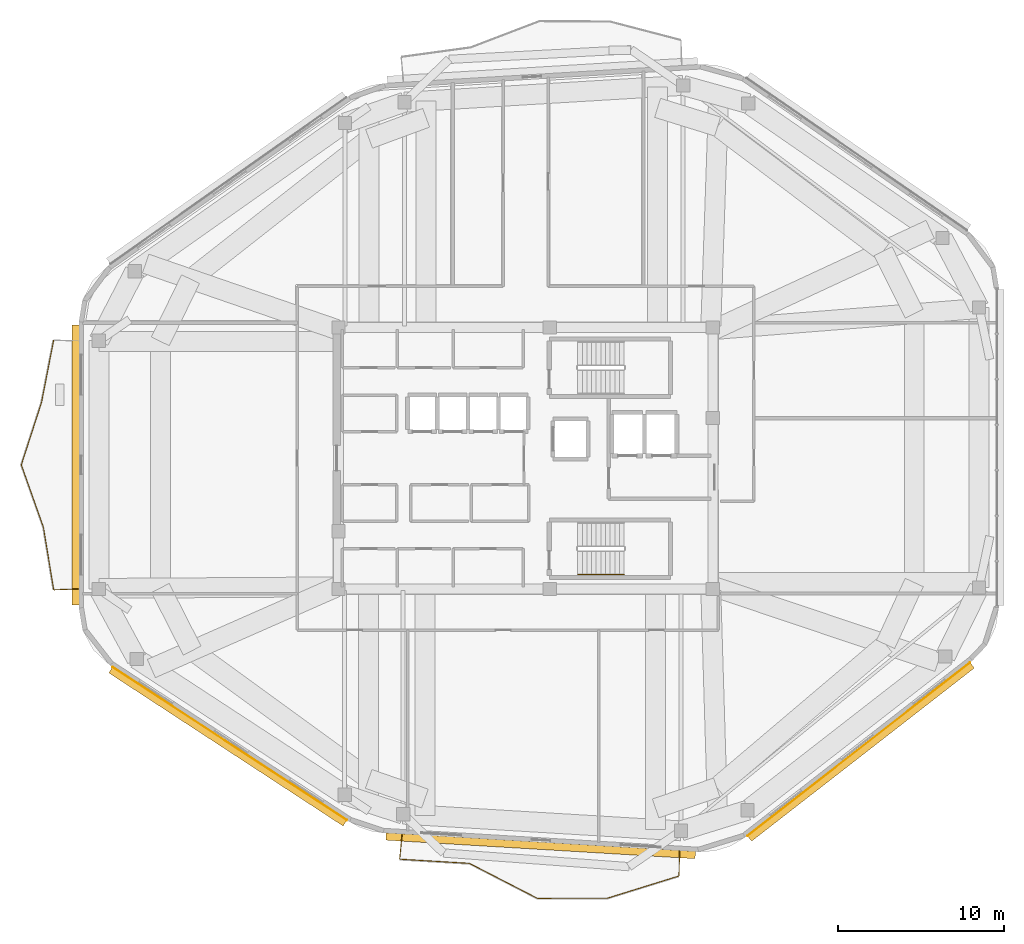
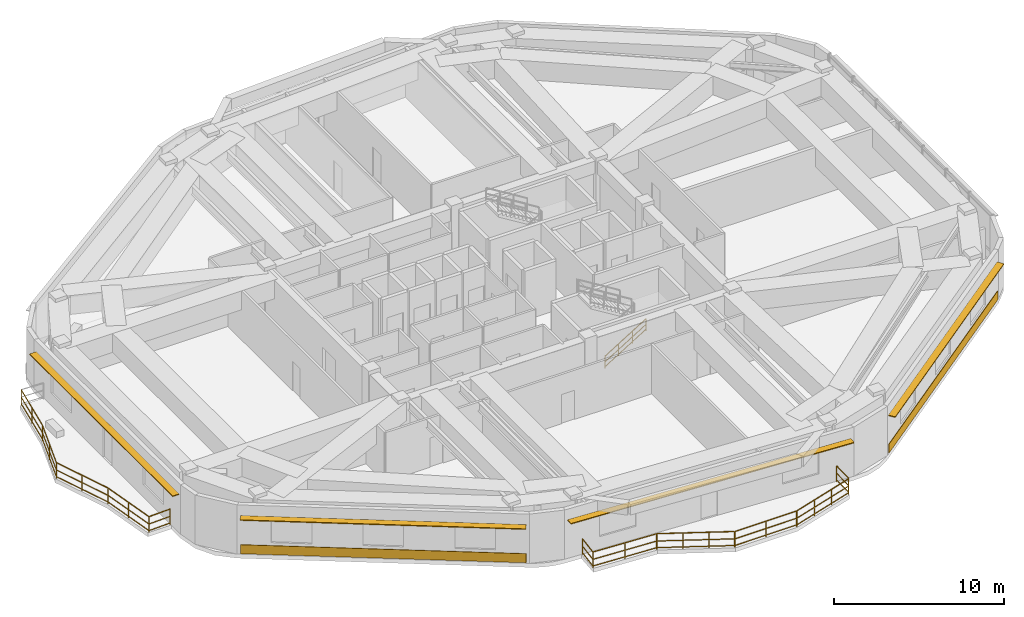
# One storey, part 13 of 15: 12 railings, 4 shading devices, 2 coverings.
"""IFC4 building model written with IfcOpenShell, lengths in metres."""

from ifc_helpers import new_model, si_unit, direction, frame, origin, origin_2d, place, context, subcontext, project, spatial, rectangle, extrude, material, layer, layer_set, type_object, element, save


model = new_model("IFC4")

# Units and contexts
model_context = context("Model", 3, precision=1e-05, world=origin(), true_north=direction((0.0, 1.0)))
body_context = subcontext(model_context, "Body", "Model", "MODEL_VIEW")
ifc_project = project(units=[si_unit("LENGTHUNIT", "METRE"), si_unit("AREAUNIT", "SQUARE_METRE"), si_unit("VOLUMEUNIT", "CUBIC_METRE"), si_unit("PLANEANGLEUNIT", "RADIAN"), si_unit("MASSUNIT", "GRAM", prefix="KILO")], contexts=[model_context])

# Site, building, storey
site_placement = place(None, origin())
site = spatial("IfcSite", under=ifc_project, at=site_placement, CompositionType="ELEMENT")
building_placement = place(site_placement, origin())
building = spatial("IfcBuilding", under=site, at=building_placement, Name="Zulverin Broadcast Headquarters", CompositionType="ELEMENT")
storey_placement = place(building_placement, frame((0.0, 0.0, 270.60009765625)))
storey = spatial("IfcBuildingStorey", under=building, at=storey_placement, Name="L69", CompositionType="ELEMENT", Elevation=270.60009765625)

# Coverings
ifc_material_1 = material(Name="Brushed pale-aluminium rainscreen cladding", Category="aluminium")
ifc_layer_1 = layer(ifc_material_1, 0.0400390625, Name="Brushed pale-aluminium rainscreen cladding", Category="aluminium")
ifc_layer_set_1 = layer_set([ifc_layer_1], Name="Brushed pale-aluminium rainscreen cladding")
covering_type = type_object("IfcCoveringType", Name="COV-CLAD-PALE", PredefinedType="CLADDING", material=ifc_layer_set_1)
covering_1_placement = place(storey_placement, frame((57.059326171875, 7.6767578125, 0.054931640625), z_axis=(0.0, 0.0, 1.0), x_axis=(0.789459183061, 0.613803061479, 0.0)))
element("IfcCovering", 1, at=covering_1_placement, inside=storey, type_object=covering_type, Name="L69 Brushed Pale-Aluminium Spandrel Cladding 2", PredefinedType="CLADDING", context=body_context, shape_type="SweptSolid", body=[
    extrude(rectangle(XDim=16.987548828125, YDim=0.0400390625, at=origin_2d()), origin(), (0.0, 0.0, 1.0), 0.64990234375),
])
covering_2_placement = place(storey_placement, frame((19.17578125, 8.00732421875, 0.054931640625), z_axis=(0.0, 0.0, 1.0), x_axis=(0.837115830387, -0.54702567263, 0.0)))
element("IfcCovering", 2, at=covering_2_placement, inside=storey, type_object=covering_type, Name="L69 Brushed Pale-Aluminium Spandrel Cladding 8", PredefinedType="CLADDING", context=body_context, shape_type="SweptSolid", body=[
    extrude(rectangle(XDim=16.859130859375, YDim=0.0400390625, at=origin_2d()), origin(), (0.0, 0.0, 1.0), 0.64990234375),
])

# Railings
ifc_material_2 = material(Name="Brushed stainless steel & laminated glass balustrade", Category="steel")
railing_type_1 = type_object("IfcRailingType", Name="RL-GUARD-1150", PredefinedType="GUARDRAIL", material=ifc_material_2)
railing_1_placement = place(storey_placement, frame((8.5771484375, 32.310546875, 0.0)))
element("IfcRailing", 3, at=railing_1_placement, inside=storey, type_object=railing_type_1, Name="L69 Vertical-Forest Balcony Guardrail BAL_W Segment 02", PredefinedType="GUARDRAIL", context=body_context, shape_type="SweptSolid", body=[
    extrude(rectangle(XDim=0.048095703125, YDim=0.048095703125, at=origin_2d()), frame((0.0, 0.0, 1.1259765625), z_axis=(-0.191017354276, -0.981586659631, 0.0), x_axis=(0.981586659631, -0.191017354276, 0.0)), (0.0, 0.0, 1.0), 3.804931640625),
    extrude(rectangle(XDim=0.0419921875, YDim=0.0419921875, at=origin_2d()), frame((0.0, 0.0, 0.597900390625), z_axis=(-0.191017354276, -0.981586659631, 0.0), x_axis=(0.981586659631, -0.191017354276, 0.0)), (0.0, 0.0, 1.0), 3.804931640625),
    extrude(rectangle(XDim=0.0419921875, YDim=0.0419921875, at=origin_2d()), frame((0.0, 0.0, 0.1201171875), z_axis=(-0.191017354276, -0.981586659631, 0.0), x_axis=(0.981586659631, -0.191017354276, 0.0)), (0.0, 0.0, 1.0), 3.804931640625),
    extrude(rectangle(XDim=0.0419921875, YDim=0.0419921875, at=origin_2d()), origin(), (0.0, 0.0, 1.0), 1.101806640625),
    extrude(rectangle(XDim=0.0419921875, YDim=0.0419921875, at=origin_2d()), frame((-0.36328125, -1.867431640625, 0.0)), (0.0, 0.0, 1.0), 1.101806640625),
    extrude(rectangle(XDim=0.0419921875, YDim=0.0419921875, at=origin_2d()), frame((-0.726806640625, -3.73486328125, 0.0)), (0.0, 0.0, 1.0), 1.101806640625),
])
railing_2_placement = place(storey_placement, frame((7.843017578125, 28.546875, 0.0)))
element("IfcRailing", 4, at=railing_2_placement, inside=storey, type_object=railing_type_1, Name="L69 Vertical-Forest Balcony Guardrail BAL_W Segment 03", PredefinedType="GUARDRAIL", context=body_context, shape_type="SweptSolid", body=[
    extrude(rectangle(XDim=0.048095703125, YDim=0.048095703125, at=origin_2d()), frame((0.0, 0.0, 1.1259765625), z_axis=(-0.307802073803, -0.951450410354, 0.0), x_axis=(0.951450410354, -0.307802073803, 0.0)), (0.0, 0.0, 1.0), 3.92626953125),
    extrude(rectangle(XDim=0.0419921875, YDim=0.0419921875, at=origin_2d()), frame((0.0, 0.0, 0.597900390625), z_axis=(-0.307802073803, -0.951450410354, 0.0), x_axis=(0.951450410354, -0.307802073803, 0.0)), (0.0, 0.0, 1.0), 3.92626953125),
    extrude(rectangle(XDim=0.0419921875, YDim=0.0419921875, at=origin_2d()), frame((0.0, 0.0, 0.1201171875), z_axis=(-0.307802073803, -0.951450410354, 0.0), x_axis=(0.951450410354, -0.307802073803, 0.0)), (0.0, 0.0, 1.0), 3.92626953125),
    extrude(rectangle(XDim=0.0419921875, YDim=0.0419921875, at=origin_2d()), origin(), (0.0, 0.0, 1.0), 1.101806640625),
    extrude(rectangle(XDim=0.0419921875, YDim=0.0419921875, at=origin_2d()), frame((-0.604248046875, -1.86767578125, 0.0)), (0.0, 0.0, 1.0), 1.101806640625),
    extrude(rectangle(XDim=0.0419921875, YDim=0.0419921875, at=origin_2d()), frame((-1.20849609375, -3.735595703125, 0.0)), (0.0, 0.0, 1.0), 1.101806640625),
])
railing_3_placement = place(storey_placement, frame((6.635009765625, 24.782958984375, 0.0)))
element("IfcRailing", 5, at=railing_3_placement, inside=storey, type_object=railing_type_1, Name="L69 Vertical-Forest Balcony Guardrail BAL_W Segment 04", PredefinedType="GUARDRAIL", context=body_context, shape_type="SweptSolid", body=[
    extrude(rectangle(XDim=0.048095703125, YDim=0.048095703125, at=origin_2d()), frame((0.0, 0.0, 1.1259765625), z_axis=(0.333583704161, -0.942720484724, 0.0), x_axis=(0.942720484724, 0.333583704161, 0.0)), (0.0, 0.0, 1.0), 3.963134765625),
    extrude(rectangle(XDim=0.0419921875, YDim=0.0419921875, at=origin_2d()), frame((0.0, 0.0, 0.597900390625), z_axis=(0.333583704161, -0.942720484724, 0.0), x_axis=(0.942720484724, 0.333583704161, 0.0)), (0.0, 0.0, 1.0), 3.963134765625),
    extrude(rectangle(XDim=0.0419921875, YDim=0.0419921875, at=origin_2d()), frame((0.0, 0.0, 0.1201171875), z_axis=(0.333583704161, -0.942720484724, 0.0), x_axis=(0.942720484724, 0.333583704161, 0.0)), (0.0, 0.0, 1.0), 3.963134765625),
    extrude(rectangle(XDim=0.0419921875, YDim=0.0419921875, at=origin_2d()), origin(), (0.0, 0.0, 1.0), 1.101806640625),
    extrude(rectangle(XDim=0.0419921875, YDim=0.0419921875, at=origin_2d()), frame((0.6611328125, -1.8681640625, 0.0)), (0.0, 0.0, 1.0), 1.101806640625),
    extrude(rectangle(XDim=0.0419921875, YDim=0.0419921875, at=origin_2d()), frame((1.322021484375, -3.736083984375, 0.0)), (0.0, 0.0, 1.0), 1.101806640625),
])
railing_4_placement = place(storey_placement, frame((7.96435546875, 21.01806640625, 0.0)))
element("IfcRailing", 6, at=railing_4_placement, inside=storey, type_object=railing_type_1, Name="L69 Vertical-Forest Balcony Guardrail BAL_W Segment 05", PredefinedType="GUARDRAIL", context=body_context, shape_type="SweptSolid", body=[
    extrude(rectangle(XDim=0.048095703125, YDim=0.048095703125, at=origin_2d()), frame((0.0, 0.0, 1.1259765625), z_axis=(0.162044838234, -0.986783395889, 0.0), x_axis=(0.986783395889, 0.162044838234, 0.0)), (0.0, 0.0, 1.0), 3.78466796875),
    extrude(rectangle(XDim=0.0419921875, YDim=0.0419921875, at=origin_2d()), frame((0.0, 0.0, 0.597900390625), z_axis=(0.162044838234, -0.986783395889, 0.0), x_axis=(0.986783395889, 0.162044838234, 0.0)), (0.0, 0.0, 1.0), 3.78466796875),
    extrude(rectangle(XDim=0.0419921875, YDim=0.0419921875, at=origin_2d()), frame((0.0, 0.0, 0.1201171875), z_axis=(0.162044838234, -0.986783395889, 0.0), x_axis=(0.986783395889, 0.162044838234, 0.0)), (0.0, 0.0, 1.0), 3.78466796875),
    extrude(rectangle(XDim=0.0419921875, YDim=0.0419921875, at=origin_2d()), origin(), (0.0, 0.0, 1.0), 1.101806640625),
    extrude(rectangle(XDim=0.0419921875, YDim=0.0419921875, at=origin_2d()), frame((0.306640625, -1.8671875, 0.0)), (0.0, 0.0, 1.0), 1.101806640625),
    extrude(rectangle(XDim=0.0419921875, YDim=0.0419921875, at=origin_2d()), frame((0.61328125, -3.734619140625, 0.0)), (0.0, 0.0, 1.0), 1.101806640625),
])
railing_5_placement = place(storey_placement, frame((8.594970703125, 17.269287109375, 0.0)))
element("IfcRailing", 7, at=railing_5_placement, inside=storey, type_object=railing_type_1, Name="L69 Vertical-Forest Balcony Guardrail BAL_W Segment 06", PredefinedType="GUARDRAIL", context=body_context, shape_type="SweptSolid", body=[
    extrude(rectangle(XDim=0.048095703125, YDim=0.048095703125, at=origin_2d()), frame((0.0, 0.0, 1.1259765625), z_axis=(0.999181155166, 0.040460093435, 0.0), x_axis=(-0.040460093435, 0.999181155166, 0.0)), (0.0, 0.0, 1.0), 1.46630859375),
    extrude(rectangle(XDim=0.0419921875, YDim=0.0419921875, at=origin_2d()), frame((0.0, 0.0, 0.597900390625), z_axis=(0.999181155166, 0.040460093435, 0.0), x_axis=(-0.040460093435, 0.999181155166, 0.0)), (0.0, 0.0, 1.0), 1.46630859375),
    extrude(rectangle(XDim=0.0419921875, YDim=0.0419921875, at=origin_2d()), frame((0.0, 0.0, 0.1201171875), z_axis=(0.999181155166, 0.040460093435, 0.0), x_axis=(-0.040460093435, 0.999181155166, 0.0)), (0.0, 0.0, 1.0), 1.46630859375),
    extrude(rectangle(XDim=0.0419921875, YDim=0.0419921875, at=origin_2d()), origin(), (0.0, 0.0, 1.0), 1.101806640625),
    extrude(rectangle(XDim=0.0419921875, YDim=0.0419921875, at=origin_2d()), frame((1.465087890625, 0.059326171875, 0.0)), (0.0, 0.0, 1.0), 1.101806640625),
])
railing_6_placement = place(storey_placement, frame((29.5576171875, 2.525390625, 0.0)))
element("IfcRailing", 8, at=railing_6_placement, inside=storey, type_object=railing_type_1, Name="L69 Vertical-Forest Balcony Guardrail BAL_S Segment 01", PredefinedType="GUARDRAIL", context=body_context, shape_type="SweptSolid", body=[
    extrude(rectangle(XDim=0.048095703125, YDim=0.048095703125, at=origin_2d()), frame((0.0, 0.0, 1.1259765625), z_axis=(-0.100245616419, -0.994962721105, 0.0), x_axis=(0.994962721105, -0.100245616419, 0.0)), (0.0, 0.0, 1.0), 1.466064453125),
    extrude(rectangle(XDim=0.0419921875, YDim=0.0419921875, at=origin_2d()), frame((0.0, 0.0, 0.597900390625), z_axis=(-0.100245616419, -0.994962721105, 0.0), x_axis=(0.994962721105, -0.100245616419, 0.0)), (0.0, 0.0, 1.0), 1.466064453125),
    extrude(rectangle(XDim=0.0419921875, YDim=0.0419921875, at=origin_2d()), frame((0.0, 0.0, 0.1201171875), z_axis=(-0.100245616419, -0.994962721105, 0.0), x_axis=(0.994962721105, -0.100245616419, 0.0)), (0.0, 0.0, 1.0), 1.466064453125),
    extrude(rectangle(XDim=0.0419921875, YDim=0.0419921875, at=origin_2d()), origin(), (0.0, 0.0, 1.0), 1.101806640625),
    extrude(rectangle(XDim=0.0419921875, YDim=0.0419921875, at=origin_2d()), frame((-0.14697265625, -1.458740234375, 0.0)), (0.0, 0.0, 1.0), 1.101806640625),
])
railing_7_placement = place(storey_placement, frame((29.424072265625, 1.05078125, 0.0)))
element("IfcRailing", 9, at=railing_7_placement, inside=storey, type_object=railing_type_1, Name="L69 Vertical-Forest Balcony Guardrail BAL_S Segment 02", PredefinedType="GUARDRAIL", context=body_context, shape_type="SweptSolid", body=[
    extrude(rectangle(XDim=0.048095703125, YDim=0.048095703125, at=origin_2d()), frame((0.0, 0.0, 1.1259765625), z_axis=(0.998203659465, -0.059912054133, 0.0), x_axis=(0.059912054133, 0.998203659465, 0.0)), (0.0, 0.0, 1.0), 4.18505859375),
    extrude(rectangle(XDim=0.0419921875, YDim=0.0419921875, at=origin_2d()), frame((0.0, 0.0, 0.597900390625), z_axis=(0.998203659465, -0.059912054133, 0.0), x_axis=(0.059912054133, 0.998203659465, 0.0)), (0.0, 0.0, 1.0), 4.18505859375),
    extrude(rectangle(XDim=0.0419921875, YDim=0.0419921875, at=origin_2d()), frame((0.0, 0.0, 0.1201171875), z_axis=(0.998203659465, -0.059912054133, 0.0), x_axis=(0.059912054133, 0.998203659465, 0.0)), (0.0, 0.0, 1.0), 4.18505859375),
    extrude(rectangle(XDim=0.0419921875, YDim=0.0419921875, at=origin_2d()), origin(), (0.0, 0.0, 1.0), 1.101806640625),
    extrude(rectangle(XDim=0.0419921875, YDim=0.0419921875, at=origin_2d()), frame((2.0888671875, -0.12548828125, 0.0)), (0.0, 0.0, 1.0), 1.101806640625),
    extrude(rectangle(XDim=0.0419921875, YDim=0.0419921875, at=origin_2d()), frame((4.177490234375, -0.250732421875, 0.0)), (0.0, 0.0, 1.0), 1.101806640625),
])
railing_8_placement = place(storey_placement, frame((33.6298828125, 0.792236328125, 0.0)))
element("IfcRailing", 10, at=railing_8_placement, inside=storey, type_object=railing_type_1, Name="L69 Vertical-Forest Balcony Guardrail BAL_S Segment 03", PredefinedType="GUARDRAIL", context=body_context, shape_type="SweptSolid", body=[
    extrude(rectangle(XDim=0.048095703125, YDim=0.048095703125, at=origin_2d()), frame((0.0, 0.0, 1.1259765625), z_axis=(0.889181773942, -0.457554120176, 0.0), x_axis=(0.457554120176, 0.889181773942, 0.0)), (0.0, 0.0, 1.0), 4.576416015625),
    extrude(rectangle(XDim=0.0419921875, YDim=0.0419921875, at=origin_2d()), frame((0.0, 0.0, 0.597900390625), z_axis=(0.889181773942, -0.457554120176, 0.0), x_axis=(0.457554120176, 0.889181773942, 0.0)), (0.0, 0.0, 1.0), 4.576416015625),
    extrude(rectangle(XDim=0.0419921875, YDim=0.0419921875, at=origin_2d()), frame((0.0, 0.0, 0.1201171875), z_axis=(0.889181773942, -0.457554120176, 0.0), x_axis=(0.457554120176, 0.889181773942, 0.0)), (0.0, 0.0, 1.0), 4.576416015625),
    extrude(rectangle(XDim=0.0419921875, YDim=0.0419921875, at=origin_2d()), origin(), (0.0, 0.0, 1.0), 1.101806640625),
    extrude(rectangle(XDim=0.0419921875, YDim=0.0419921875, at=origin_2d()), frame((1.3564453125, -0.697998046875, 0.0)), (0.0, 0.0, 1.0), 1.101806640625),
    extrude(rectangle(XDim=0.0419921875, YDim=0.0419921875, at=origin_2d()), frame((2.712890625, -1.39599609375, 0.0)), (0.0, 0.0, 1.0), 1.101806640625),
    extrude(rectangle(XDim=0.0419921875, YDim=0.0419921875, at=origin_2d()), frame((4.0693359375, -2.093994140625, 0.0)), (0.0, 0.0, 1.0), 1.101806640625),
])
railing_9_placement = place(storey_placement, frame((37.7275390625, -1.30859375, 0.0)))
element("IfcRailing", 11, at=railing_9_placement, inside=storey, type_object=railing_type_1, Name="L69 Vertical-Forest Balcony Guardrail BAL_S Segment 04", PredefinedType="GUARDRAIL", context=body_context, shape_type="SweptSolid", body=[
    extrude(rectangle(XDim=0.048095703125, YDim=0.048095703125, at=origin_2d()), frame((0.0, 0.0, 1.1259765625), z_axis=(0.99999348514, 0.00360966442, 0.0), x_axis=(-0.00360966442, 0.99999348514, 0.0)), (0.0, 0.0, 1.0), 4.193359375),
    extrude(rectangle(XDim=0.0419921875, YDim=0.0419921875, at=origin_2d()), frame((0.0, 0.0, 0.597900390625), z_axis=(0.99999348514, 0.00360966442, 0.0), x_axis=(-0.00360966442, 0.99999348514, 0.0)), (0.0, 0.0, 1.0), 4.193359375),
    extrude(rectangle(XDim=0.0419921875, YDim=0.0419921875, at=origin_2d()), frame((0.0, 0.0, 0.1201171875), z_axis=(0.99999348514, 0.00360966442, 0.0), x_axis=(-0.00360966442, 0.99999348514, 0.0)), (0.0, 0.0, 1.0), 4.193359375),
    extrude(rectangle(XDim=0.0419921875, YDim=0.0419921875, at=origin_2d()), origin(), (0.0, 0.0, 1.0), 1.101806640625),
    extrude(rectangle(XDim=0.0419921875, YDim=0.0419921875, at=origin_2d()), frame((2.0966796875, 0.007568359375, 0.0)), (0.0, 0.0, 1.0), 1.101806640625),
    extrude(rectangle(XDim=0.0419921875, YDim=0.0419921875, at=origin_2d()), frame((4.193359375, 0.01513671875, 0.0)), (0.0, 0.0, 1.0), 1.101806640625),
])
railing_10_placement = place(storey_placement, frame((41.9501953125, -1.2890625, 0.0)))
element("IfcRailing", 12, at=railing_10_placement, inside=storey, type_object=railing_type_1, Name="L69 Vertical-Forest Balcony Guardrail BAL_S Segment 05", PredefinedType="GUARDRAIL", context=body_context, shape_type="SweptSolid", body=[
    extrude(rectangle(XDim=0.048095703125, YDim=0.048095703125, at=origin_2d()), frame((0.0, 0.0, 1.1259765625), z_axis=(0.955093423081, 0.296304831529, 0.0), x_axis=(-0.296304831529, 0.955093423081, 0.0)), (0.0, 0.0, 1.0), 4.474853515625),
    extrude(rectangle(XDim=0.0419921875, YDim=0.0419921875, at=origin_2d()), frame((0.0, 0.0, 0.597900390625), z_axis=(0.955093423081, 0.296304831529, 0.0), x_axis=(-0.296304831529, 0.955093423081, 0.0)), (0.0, 0.0, 1.0), 4.474853515625),
    extrude(rectangle(XDim=0.0419921875, YDim=0.0419921875, at=origin_2d()), frame((0.0, 0.0, 0.1201171875), z_axis=(0.955093423081, 0.296304831529, 0.0), x_axis=(-0.296304831529, 0.955093423081, 0.0)), (0.0, 0.0, 1.0), 4.474853515625),
    extrude(rectangle(XDim=0.0419921875, YDim=0.0419921875, at=origin_2d()), origin(), (0.0, 0.0, 1.0), 1.101806640625),
    extrude(rectangle(XDim=0.0419921875, YDim=0.0419921875, at=origin_2d()), frame((1.424560546875, 0.44189453125, 0.0)), (0.0, 0.0, 1.0), 1.101806640625),
    extrude(rectangle(XDim=0.0419921875, YDim=0.0419921875, at=origin_2d()), frame((2.849365234375, 0.884033203125, 0.0)), (0.0, 0.0, 1.0), 1.101806640625),
    extrude(rectangle(XDim=0.0419921875, YDim=0.0419921875, at=origin_2d()), frame((4.27392578125, 1.325927734375, 0.0)), (0.0, 0.0, 1.0), 1.101806640625),
])
railing_11_placement = place(storey_placement, frame((46.23876953125, 0.056396484375, 0.0)))
element("IfcRailing", 13, at=railing_11_placement, inside=storey, type_object=railing_type_1, Name="L69 Vertical-Forest Balcony Guardrail BAL_S Segment 06", PredefinedType="GUARDRAIL", context=body_context, shape_type="SweptSolid", body=[
    extrude(rectangle(XDim=0.048095703125, YDim=0.048095703125, at=origin_2d()), frame((0.0, 0.0, 1.1259765625), z_axis=(0.019483309682, 0.999810182307, 0.0), x_axis=(-0.999810182307, 0.019483309682, 0.0)), (0.0, 0.0, 1.0), 1.466064453125),
    extrude(rectangle(XDim=0.0419921875, YDim=0.0419921875, at=origin_2d()), frame((0.0, 0.0, 0.597900390625), z_axis=(0.019483309682, 0.999810182307, 0.0), x_axis=(-0.999810182307, 0.019483309682, 0.0)), (0.0, 0.0, 1.0), 1.466064453125),
    extrude(rectangle(XDim=0.0419921875, YDim=0.0419921875, at=origin_2d()), frame((0.0, 0.0, 0.1201171875), z_axis=(0.019483309682, 0.999810182307, 0.0), x_axis=(-0.999810182307, 0.019483309682, 0.0)), (0.0, 0.0, 1.0), 1.466064453125),
    extrude(rectangle(XDim=0.0419921875, YDim=0.0419921875, at=origin_2d()), origin(), (0.0, 0.0, 1.0), 1.101806640625),
    extrude(rectangle(XDim=0.0419921875, YDim=0.0419921875, at=origin_2d()), frame((0.028564453125, 1.4658203125, 0.0)), (0.0, 0.0, 1.0), 1.101806640625),
])
ifc_material_3 = material(Name="Brushed stainless steel 48 mm handrail", Category="steel")
railing_type_2 = type_object("IfcRailingType", Name="RL-ST-HAND", PredefinedType="HANDRAIL", material=ifc_material_3)
railing_12_placement = place(storey_placement, frame((40.1298828125, 18.199951171875, 0.172607421875)))
element("IfcRailing", 14, at=railing_12_placement, inside=storey, type_object=railing_type_2, Name="L69 ST-2 stair handrail 1", PredefinedType="HANDRAIL", context=body_context, shape_type="SweptSolid", body=[
    extrude(rectangle(XDim=0.048095703125, YDim=0.048095703125, at=origin_2d()), frame((0.0, 0.0, 0.8759765625), z_axis=(0.851089632645, 0.0, 0.525020415988), x_axis=(0.0, 1.0, 0.0)), (0.0, 0.0, 1.0), 3.2900390625),
    extrude(rectangle(XDim=0.0419921875, YDim=0.0419921875, at=origin_2d()), frame((0.0, 0.0, 0.468017578125), z_axis=(0.851089632645, 0.0, 0.525020415988), x_axis=(0.0, 1.0, 0.0)), (0.0, 0.0, 1.0), 3.2900390625),
    extrude(rectangle(XDim=0.0419921875, YDim=0.0419921875, at=origin_2d()), frame((0.0, 0.0, 0.1201171875), z_axis=(0.851089632645, 0.0, 0.525020415988), x_axis=(0.0, 1.0, 0.0)), (0.0, 0.0, 1.0), 3.2900390625),
    extrude(rectangle(XDim=0.0419921875, YDim=0.0419921875, at=origin_2d()), origin(), (0.0, 0.0, 1.0), 0.851806640625),
    extrude(rectangle(XDim=0.0419921875, YDim=0.0419921875, at=origin_2d()), frame((0.933349609375, 0.0, 0.57568359375)), (0.0, 0.0, 1.0), 0.851806640625),
    extrude(rectangle(XDim=0.0419921875, YDim=0.0419921875, at=origin_2d()), frame((1.86669921875, 0.0, 1.151611328125)), (0.0, 0.0, 1.0), 0.851806640625),
    extrude(rectangle(XDim=0.0419921875, YDim=0.0419921875, at=origin_2d()), frame((2.800048828125, 0.0, 1.727294921875)), (0.0, 0.0, 1.0), 0.851806640625),
])

# Shading devices
ifc_material_4 = material(Name="Anodized pale-metal aluminium sunshade", Category="aluminium")
ifc_layer_2 = layer(ifc_material_4, 0.06005859375, Name="Anodized pale-metal aluminium sunshade", Category="aluminium")
ifc_layer_set_2 = layer_set([ifc_layer_2], Name="Anodized pale-metal aluminium sunshade")
shading_device_type = type_object("IfcShadingDeviceType", Name="SS-01_PALE_METAL_ALUMINIUM_SUNSHADE", PredefinedType="USERDEFINED", material=ifc_layer_set_2)
shading_device_1_placement = place(storey_placement, frame((37.90283203125, 1.864013671875, 2.7099609375), z_axis=(0.0, 0.0, 1.0), x_axis=(0.998202681386, -0.059928347834, 0.0)))
element("IfcShadingDevice", 15, at=shading_device_1_placement, inside=storey, type_object=shading_device_type, Name="L69 Horizontal Pale-Metal Sunshade Band 1", ObjectType="SUNSHADE", PredefinedType="USERDEFINED", context=body_context, shape_type="SweptSolid", body=[
    extrude(rectangle(XDim=18.65966796875, YDim=0.449951171875, at=origin_2d()), origin(), (0.0, 0.0, 1.0), 0.06005859375),
])
shading_device_2_placement = place(storey_placement, frame((57.176025390625, 7.52685546875, 2.7099609375), z_axis=(0.0, 0.0, 1.0), x_axis=(0.789459183061, 0.613803061479, 0.0)))
element("IfcShadingDevice", 16, at=shading_device_2_placement, inside=storey, type_object=shading_device_type, Name="L69 Horizontal Pale-Metal Sunshade Band 2", ObjectType="SUNSHADE", PredefinedType="USERDEFINED", context=body_context, shape_type="SweptSolid", body=[
    extrude(rectangle(XDim=16.987548828125, YDim=0.449951171875, at=origin_2d()), origin(), (0.0, 0.0, 1.0), 0.06005859375),
])
shading_device_3_placement = place(storey_placement, frame((9.89990234375, 24.797119140625, 2.7099609375), z_axis=(0.0, 0.0, 1.0), x_axis=(0.0, -1.0, 0.0)))
element("IfcShadingDevice", 17, at=shading_device_3_placement, inside=storey, type_object=shading_device_type, Name="L69 Horizontal Pale-Metal Sunshade Band 7", ObjectType="SUNSHADE", PredefinedType="USERDEFINED", context=body_context, shape_type="SweptSolid", body=[
    extrude(rectangle(XDim=16.856689453125, YDim=0.449951171875, at=origin_2d()), origin(), (0.0, 0.0, 1.0), 0.06005859375),
])
shading_device_4_placement = place(storey_placement, frame((19.07177734375, 7.848388671875, 2.7099609375), z_axis=(0.0, 0.0, 1.0), x_axis=(0.837115830387, -0.54702567263, 0.0)))
element("IfcShadingDevice", 18, at=shading_device_4_placement, inside=storey, type_object=shading_device_type, Name="L69 Horizontal Pale-Metal Sunshade Band 8", ObjectType="SUNSHADE", PredefinedType="USERDEFINED", context=body_context, shape_type="SweptSolid", body=[
    extrude(rectangle(XDim=16.859130859375, YDim=0.449951171875, at=origin_2d()), origin(), (0.0, 0.0, 1.0), 0.06005859375),
])

save(model, "model.ifc")
